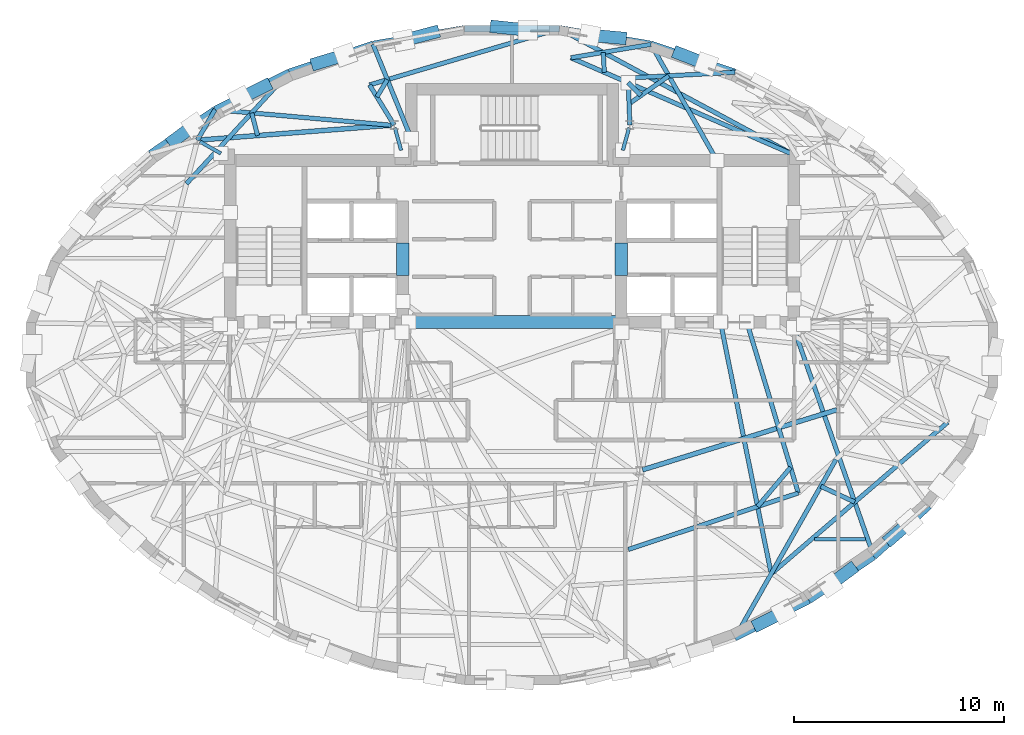
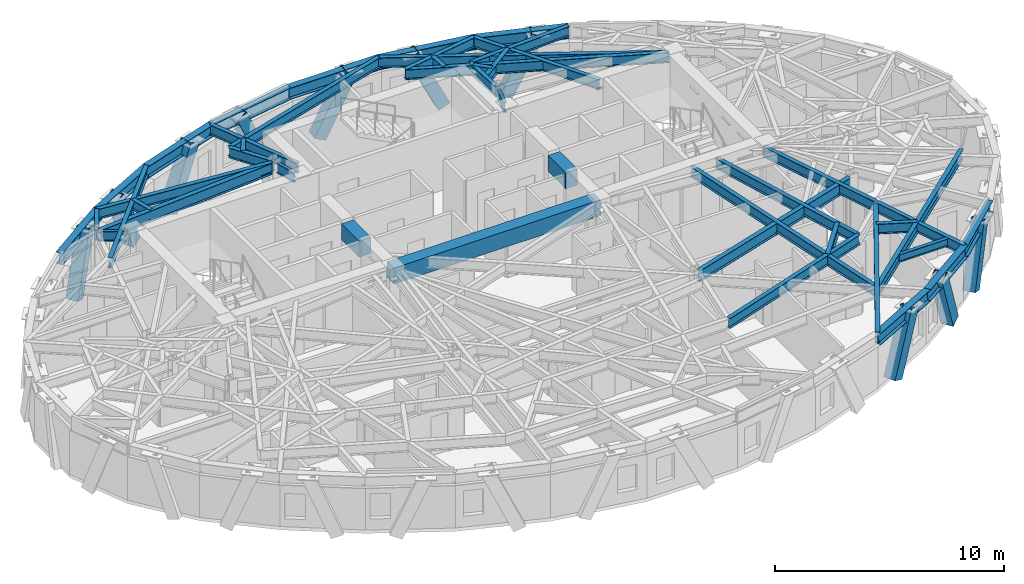
# One storey, part 3 of 13: 44 beams, 10 members.
"""IFC4 building model written with IfcOpenShell, lengths in metres."""

from ifc_helpers import new_model, si_unit, direction, frame, origin, origin_2d, place, context, subcontext, project, spatial, rectangle, hollow_rectangle, i_section, extrude, material, material_profile, profile_set, type_object, element, save


model = new_model("IFC4")

# Units and contexts
model_context = context("Model", 3, precision=1e-05, world=origin(), true_north=direction((0.0, 1.0)))
body_context = subcontext(model_context, "Body", "Model", "MODEL_VIEW")
ifc_project = project(units=[si_unit("LENGTHUNIT", "METRE"), si_unit("AREAUNIT", "SQUARE_METRE"), si_unit("VOLUMEUNIT", "CUBIC_METRE"), si_unit("PLANEANGLEUNIT", "RADIAN"), si_unit("MASSUNIT", "GRAM", prefix="KILO")], contexts=[model_context])

# Site, building, storey
site_placement = place(None, origin())
site = spatial("IfcSite", under=ifc_project, at=site_placement, CompositionType="ELEMENT")
building_placement = place(site_placement, origin())
building = spatial("IfcBuilding", under=site, at=building_placement, Name="Keldmark Tower", CompositionType="ELEMENT")
storey_placement = place(building_placement, frame((0.0, 0.0, 219.449951171875)))
storey = spatial("IfcBuildingStorey", under=building, at=storey_placement, Name="L61", CompositionType="ELEMENT", Elevation=219.449951171875)

# Beams
ifc_material_1 = material(Name="Steel ASTM A992 Grade 50", Category="steel")
ifc_material_profile_1 = material_profile(ifc_material_1, i_section(OverallWidth=0.177978515625, OverallDepth=0.403076171875, WebThickness=0.007568359375, FlangeThickness=0.010986328125, at=origin_2d()), Name="W16X36")
ifc_profile_set_1 = profile_set([ifc_material_profile_1], Name="Steel ASTM A992 Grade 50")
beam_type_1 = type_object("IfcBeamType", Name="Composite Floor Joist W16X36", PredefinedType="JOIST", material=ifc_profile_set_1)
beam_1_placement = place(storey_placement, frame((14.427490234375, -8.780029296875, 2.7685546875), z_axis=(1.0, 0.0, 0.0), x_axis=(0.0, 1.0, 0.0)))
element("IfcBeam", 1, at=beam_1_placement, inside=storey, type_object=beam_type_1, Name="L61 Composite Floor Joist J04", PredefinedType="JOIST", context=body_context, shape_type="SweptSolid", body=[
    extrude(i_section(OverallWidth=0.177978515625, OverallDepth=0.403076171875, WebThickness=0.007568359375, FlangeThickness=0.010986328125, at=origin_2d()), origin(), (0.0, 0.0, 1.0), 2.43212890625),
])
ifc_material_2 = material(Name="Concrete C50/60", Category="concrete")
ifc_material_profile_2 = material_profile(ifc_material_2, rectangle(XDim=0.60009765625, YDim=0.85009765625, at=origin_2d()), Name="RCB600X850")
ifc_profile_set_2 = profile_set([ifc_material_profile_2], Name="Concrete C50/60")
beam_type_2 = type_object("IfcBeamType", Name="Core Coupling Beam RCB600X850", PredefinedType="USERDEFINED", material=ifc_profile_set_2)
for number, where, z_axis, x_axis, name in (
    (2, (-5.199951171875, 3.800048828125, 2.545166015625), (0.0, 1.0, 0.0), (-1.0, 0.0, 0.0), "L61 West Core Coupling Beam"),
    (3, (5.199951171875, 3.800048828125, 2.545166015625), (0.0, 1.0, 0.0), (-1.0, 0.0, 0.0), "L61 East Core Coupling Beam"),
):
    element("IfcBeam", number, at=place(storey_placement, frame(where, z_axis=z_axis, x_axis=x_axis)), inside=storey, type_object=beam_type_2, Name=name, ObjectType="COUPLING BEAM", PredefinedType="USERDEFINED", context=body_context, shape_type="SweptSolid", body=[
        extrude(rectangle(XDim=0.60009765625, YDim=0.85009765625, at=origin_2d()), origin(), (0.0, 0.0, 1.0), 1.550048828125),
    ])
beam_2_placement = place(storey_placement, frame((-5.199951171875, 1.574951171875, 2.545166015625), z_axis=(1.0, 0.0, 0.0), x_axis=(0.0, 1.0, 0.0)))
element("IfcBeam", 4, at=beam_2_placement, inside=storey, type_object=beam_type_2, Name="L61 Central South Core Coupling Beam", ObjectType="COUPLING BEAM", PredefinedType="USERDEFINED", context=body_context, shape_type="SweptSolid", body=[
    extrude(rectangle(XDim=0.60009765625, YDim=0.85009765625, at=origin_2d()), origin(), (0.0, 0.0, 1.0), 10.39990234375),
])

# Members
ifc_material_3 = material(Name="Steel ASTM A572 Grade 50", Category="steel")
ifc_material_profile_3 = material_profile(ifc_material_3, hollow_rectangle(XDim=0.60009765625, YDim=0.60009765625, WallThickness=0.034912109375, at=origin_2d()), Name="BOX600X600X35")
ifc_profile_set_3 = profile_set([ifc_material_profile_3], Name="Steel ASTM A572 Grade 50")
member_type = type_object("IfcMemberType", Name="Diagrid Zone 4 Brace BOX600X600X35", PredefinedType="BRACE", material=ifc_profile_set_3)
member_1_placement = place(storey_placement, frame((7.9599609375, 14.37890625, -0.260009765625), z_axis=(0.382035075732, -0.148990815704, 0.912058626266), x_axis=(0.363339214567, 0.931656919235, 0.0)))
element("IfcMember", 5, at=member_1_placement, inside=storey, type_object=member_type, Name="L61 Perimeter Diagrid Brace 03B", PredefinedType="BRACE", context=body_context, shape_type="SweptSolid", body=[
    extrude(hollow_rectangle(XDim=0.60009765625, YDim=0.60009765625, WallThickness=0.034912109375, at=origin_2d()), origin(), (0.0, 0.0, 1.0), 3.409912109375),
])
member_2_placement = place(storey_placement, frame((5.18603515625, 15.11181640625, -0.260009765625), z_axis=(-0.431543577099, 0.039687860123, 0.90121862765), x_axis=(-0.091580735122, -0.995797654624, 0.0)))
element("IfcMember", 6, at=member_2_placement, inside=storey, type_object=member_type, Name="L61 Perimeter Diagrid Brace 04A", PredefinedType="BRACE", context=body_context, shape_type="SweptSolid", body=[
    extrude(hollow_rectangle(XDim=0.60009765625, YDim=0.60009765625, WallThickness=0.034912109375, at=origin_2d()), origin(), (0.0, 0.0, 1.0), 3.450927734375),
])
member_3_placement = place(storey_placement, frame((-0.76611328125, 15.64697265625, -0.260009765625), z_axis=(0.437074877575, -0.044215222368, 0.898337667864), x_axis=(0.100647976225, 0.994922099906, 0.0)))
element("IfcMember", 7, at=member_3_placement, inside=storey, type_object=member_type, Name="L61 Perimeter Diagrid Brace 04B", PredefinedType="BRACE", context=body_context, shape_type="SweptSolid", body=[
    extrude(hollow_rectangle(XDim=0.60009765625, YDim=0.60009765625, WallThickness=0.034912109375, at=origin_2d()), origin(), (0.0, 0.0, 1.0), 3.462158203125),
])
member_4_placement = place(storey_placement, frame((-3.736328125, 15.37841796875, -0.260009765625), z_axis=(-0.414603232575, -0.110192136724, 0.903306068031), x_axis=(0.256860118169, -0.966448591335, 0.0)))
element("IfcMember", 8, at=member_4_placement, inside=storey, type_object=member_type, Name="L61 Perimeter Diagrid Brace 05A", PredefinedType="BRACE", context=body_context, shape_type="SweptSolid", body=[
    extrude(hollow_rectangle(XDim=0.60009765625, YDim=0.60009765625, WallThickness=0.034912109375, at=origin_2d()), origin(), (0.0, 0.0, 1.0), 3.443115234375),
])
member_5_placement = place(storey_placement, frame((-9.294189453125, 13.905517578125, -0.260009765625), z_axis=(0.396238921214, 0.11842855203, 0.910477564457), x_axis=(-0.286364714613, 0.95812068667, 0.0)))
element("IfcMember", 9, at=member_5_placement, inside=storey, type_object=member_type, Name="L61 Perimeter Diagrid Brace 05B", PredefinedType="BRACE", context=body_context, shape_type="SweptSolid", body=[
    extrude(hollow_rectangle(XDim=0.60009765625, YDim=0.60009765625, WallThickness=0.034912109375, at=origin_2d()), origin(), (0.0, 0.0, 1.0), 3.416015625),
])
member_6_placement = place(storey_placement, frame((-11.7666015625, 12.831298828125, -0.260009765625), z_axis=(-0.350310285199, -0.175082913675, 0.920124272815), x_axis=(0.447066042866, -0.894500952105, 0.0)))
element("IfcMember", 10, at=member_6_placement, inside=storey, type_object=member_type, Name="L61 Perimeter Diagrid Brace 06A", PredefinedType="BRACE", context=body_context, shape_type="SweptSolid", body=[
    extrude(hollow_rectangle(XDim=0.60009765625, YDim=0.60009765625, WallThickness=0.034912109375, at=origin_2d()), origin(), (0.0, 0.0, 1.0), 3.380126953125),
])
member_7_placement = place(storey_placement, frame((-16.132568359375, 10.223388671875, -0.260009765625), z_axis=(0.294147769591, 0.218255161544, 0.930506192405), x_axis=(-0.59587596727, 0.803076479316, 0.0)))
element("IfcMember", 11, at=member_7_placement, inside=storey, type_object=member_type, Name="L61 Perimeter Diagrid Brace 06B", PredefinedType="BRACE", context=body_context, shape_type="SweptSolid", body=[
    extrude(hollow_rectangle(XDim=0.60009765625, YDim=0.60009765625, WallThickness=0.034912109375, at=origin_2d()), origin(), (0.0, 0.0, 1.0), 3.34228515625),
])
member_8_placement = place(storey_placement, frame((11.7666015625, -12.831298828125, -0.260009765625), z_axis=(0.350310285199, 0.175082913675, 0.920124272815), x_axis=(-0.447066042866, 0.894500952105, 0.0)))
element("IfcMember", 12, at=member_8_placement, inside=storey, type_object=member_type, Name="L61 Perimeter Diagrid Brace 14A", PredefinedType="BRACE", context=body_context, shape_type="SweptSolid", body=[
    extrude(hollow_rectangle(XDim=0.60009765625, YDim=0.60009765625, WallThickness=0.034912109375, at=origin_2d()), origin(), (0.0, 0.0, 1.0), 3.380126953125),
])
member_9_placement = place(storey_placement, frame((16.132568359375, -10.223388671875, -0.260009765625), z_axis=(-0.294147769591, -0.218255161544, 0.930506192405), x_axis=(0.59587596727, -0.803076479316, 0.0)))
element("IfcMember", 13, at=member_9_placement, inside=storey, type_object=member_type, Name="L61 Perimeter Diagrid Brace 14B", PredefinedType="BRACE", context=body_context, shape_type="SweptSolid", body=[
    extrude(hollow_rectangle(XDim=0.60009765625, YDim=0.60009765625, WallThickness=0.034912109375, at=origin_2d()), origin(), (0.0, 0.0, 1.0), 3.34228515625),
])
member_10_placement = place(storey_placement, frame((18.051513671875, -8.747802734375, -0.260009765625), z_axis=(0.271056056456, 0.234783348171, 0.933490971397), x_axis=(-0.654720463348, 0.755871096731, 0.0)))
element("IfcMember", 14, at=member_10_placement, inside=storey, type_object=member_type, Name="L61 Perimeter Diagrid Brace 15A", PredefinedType="BRACE", context=body_context, shape_type="SweptSolid", body=[
    extrude(hollow_rectangle(XDim=0.60009765625, YDim=0.60009765625, WallThickness=0.034912109375, at=origin_2d()), origin(), (0.0, 0.0, 1.0), 3.331787109375),
])

# Beams
ifc_material_4 = material(Name="Steel ASTM A992 Grade 50", Category="steel")
ifc_material_profile_4 = material_profile(ifc_material_4, i_section(OverallWidth=0.22802734375, OverallDepth=0.60302734375, WebThickness=0.010498046875, FlangeThickness=0.014892578125, at=origin_2d()), Name="W24X68")
ifc_profile_set_4 = profile_set([ifc_material_profile_4], Name="Steel ASTM A992 Grade 50")
beam_type_3 = type_object("IfcBeamType", Name="Primary Floor Girder W24X68", PredefinedType="BEAM", material=ifc_profile_set_4)
beam_3_placement = place(storey_placement, frame((-5.75830078125, 10.956298828125, 2.66845703125), z_axis=(-0.997037147832, -0.076921556421, 0.0), x_axis=(0.076921556421, -0.997037147832, 0.0)))
element("IfcBeam", 15, at=beam_3_placement, inside=storey, type_object=beam_type_3, Name="L61 Floor Ring Girder FG-R04", PredefinedType="BEAM", context=body_context, shape_type="SweptSolid", body=[
    extrude(i_section(OverallWidth=0.22802734375, OverallDepth=0.60302734375, WebThickness=0.010498046875, FlangeThickness=0.014892578125, at=origin_2d()), origin(), (0.0, 0.0, 1.0), 9.125),
])
beam_4_placement = place(storey_placement, frame((6.223388671875, -5.471435546875, 2.66845703125), z_axis=(0.955383255089, 0.295368982622, 0.0), x_axis=(-0.295368982622, 0.955383255089, 0.0)))
element("IfcBeam", 16, at=beam_4_placement, inside=storey, type_object=beam_type_3, Name="L61 Floor Ring Girder FG-R10", PredefinedType="BEAM", context=body_context, shape_type="SweptSolid", body=[
    extrude(i_section(OverallWidth=0.22802734375, OverallDepth=0.60302734375, WebThickness=0.010498046875, FlangeThickness=0.014892578125, at=origin_2d()), origin(), (0.0, 0.0, 1.0), 9.69140625),
])
ifc_material_5 = material(Name="Steel ASTM A992 Grade 50", Category="steel")
ifc_material_profile_5 = material_profile(ifc_material_5, i_section(OverallWidth=0.166015625, OverallDepth=0.529052734375, WebThickness=0.009765625, FlangeThickness=0.013671875, at=origin_2d()), Name="W21X50")
ifc_profile_set_5 = profile_set([ifc_material_profile_5], Name="Steel ASTM A992 Grade 50")
beam_type_4 = type_object("IfcBeamType", Name="Radial Tie Girder W21X50", PredefinedType="BEAM", material=ifc_profile_set_5)
for number, where, z_axis, x_axis, name in (
    (17, (5.581298828125, 10.83203125, 2.70556640625), (-0.265936023434, -0.963990680163, 0.0), (0.963990680163, -0.265936023434, 0.0), "L61 Floor Radial Girder FG-C03"),
    (18, (-5.581298828125, 10.83203125, 2.70556640625), (0.265936023434, -0.963990680163, 0.0), (0.963990680163, 0.265936023434, 0.0), "L61 Floor Radial Girder FG-C04"),
):
    element("IfcBeam", number, at=place(storey_placement, frame(where, z_axis=z_axis, x_axis=x_axis)), inside=storey, type_object=beam_type_4, Name=name, PredefinedType="BEAM", context=body_context, shape_type="SweptSolid", body=[
        extrude(i_section(OverallWidth=0.166015625, OverallDepth=0.529052734375, WebThickness=0.009765625, FlangeThickness=0.013671875, at=origin_2d()), origin(), (0.0, 0.0, 1.0), 1.113525390625),
    ])
beam_5_placement = place(storey_placement, frame((-14.8740234375, 10.174560546875, 2.70556640625), z_axis=(0.869238046195, -0.494393789451, 0.0), x_axis=(0.494393789451, 0.869238046195, 0.0)))
element("IfcBeam", 19, at=beam_5_placement, inside=storey, type_object=beam_type_4, Name="L61 Floor Radial Girder FG-C05", PredefinedType="BEAM", context=body_context, shape_type="SweptSolid", body=[
    extrude(i_section(OverallWidth=0.166015625, OverallDepth=0.529052734375, WebThickness=0.009765625, FlangeThickness=0.013671875, at=origin_2d()), origin(), (0.0, 0.0, 1.0), 1.145751953125),
])
ifc_material_6 = material(Name="Steel ASTM A992 Grade 50", Category="steel")
ifc_material_profile_6 = material_profile(ifc_material_6, i_section(OverallWidth=0.2099609375, OverallDepth=0.537109375, WebThickness=0.010986328125, FlangeThickness=0.017333984375, at=origin_2d()), Name="W21X68")
ifc_profile_set_6 = profile_set([ifc_material_profile_6], Name="Steel ASTM A992 Grade 50")
beam_type_5 = type_object("IfcBeamType", Name="Radial Tie Girder W21X68", PredefinedType="BEAM", material=ifc_profile_set_6)
beam_6_placement = place(storey_placement, frame((11.19287109375, 1.574951171875, 2.70166015625), z_axis=(0.288515668481, -0.957475174112, 0.0), x_axis=(0.957475174112, 0.288515668481, 0.0)))
element("IfcBeam", 20, at=beam_6_placement, inside=storey, type_object=beam_type_5, Name="L61 Sub-Ring Step Girder STP1-M11", PredefinedType="BEAM", context=body_context, shape_type="SweptSolid", body=[
    extrude(i_section(OverallWidth=0.2099609375, OverallDepth=0.537109375, WebThickness=0.010986328125, FlangeThickness=0.017333984375, at=origin_2d()), origin(), (0.0, 0.0, 1.0), 8.514404296875),
])
beam_7_placement = place(storey_placement, frame((5.548095703125, -9.267578125, 2.70166015625), z_axis=(0.949043045572, 0.315146470155, 0.0), x_axis=(-0.315146470155, 0.949043045572, 0.0)))
element("IfcBeam", 21, at=beam_7_placement, inside=storey, type_object=beam_type_5, Name="L61 Perimeter Collector Ring Beam CRG1-M10", PredefinedType="BEAM", context=body_context, shape_type="SweptSolid", body=[
    extrude(i_section(OverallWidth=0.2099609375, OverallDepth=0.537109375, WebThickness=0.010986328125, FlangeThickness=0.017333984375, at=origin_2d()), origin(), (0.0, 0.0, 1.0), 8.536376953125),
])
beam_8_placement = place(storey_placement, frame((13.28076171875, -5.3544921875, 2.70166015625), z_axis=(-0.644111105866, -0.764931946842, 0.0), x_axis=(0.764931946842, -0.644111105866, 0.0)))
element("IfcBeam", 22, at=beam_8_placement, inside=storey, type_object=beam_type_5, Name="L61 Framing Pin Header PH-011", PredefinedType="BEAM", context=body_context, shape_type="SweptSolid", body=[
    extrude(i_section(OverallWidth=0.2099609375, OverallDepth=0.537109375, WebThickness=0.010986328125, FlangeThickness=0.017333984375, at=origin_2d()), origin(), (0.0, 0.0, 1.0), 2.44091796875),
])
beam_9_placement = place(storey_placement, frame((9.939208984375, 1.574951171875, 2.70166015625), z_axis=(0.197170240009, -0.980369265356, 0.0), x_axis=(0.980369265356, 0.197170240009, 0.0)))
element("IfcBeam", 23, at=beam_9_placement, inside=storey, type_object=beam_type_5, Name="L61 Sub-Ring Step Girder STP2-M11", PredefinedType="BEAM", context=body_context, shape_type="SweptSolid", body=[
    extrude(i_section(OverallWidth=0.2099609375, OverallDepth=0.537109375, WebThickness=0.010986328125, FlangeThickness=0.017333984375, at=origin_2d()), origin(), (0.0, 0.0, 1.0), 12.247314453125),
])
beam_10_placement = place(storey_placement, frame((12.35400390625, -10.431884765625, 2.70166015625), z_axis=(0.758616264671, 0.65153769114, 0.0), x_axis=(-0.65153769114, 0.758616264671, 0.0)))
element("IfcBeam", 24, at=beam_10_placement, inside=storey, type_object=beam_type_5, Name="L61 Perimeter Collector Ring Beam CRG2-M11", PredefinedType="BEAM", context=body_context, shape_type="SweptSolid", body=[
    extrude(i_section(OverallWidth=0.2099609375, OverallDepth=0.537109375, WebThickness=0.010986328125, FlangeThickness=0.017333984375, at=origin_2d()), origin(), (0.0, 0.0, 1.0), 11.094482421875),
])
beam_11_placement = place(storey_placement, frame((-14.995849609375, 10.24365234375, 2.70166015625), z_axis=(0.499735037003, 0.866178326207, 0.0), x_axis=(-0.866178326207, 0.499735037003, 0.0)))
element("IfcBeam", 25, at=beam_11_placement, inside=storey, type_object=beam_type_5, Name="L61 Perimeter Column Bracket RT-12", PredefinedType="BEAM", context=body_context, shape_type="SweptSolid", body=[
    extrude(i_section(OverallWidth=0.2099609375, OverallDepth=0.537109375, WebThickness=0.010986328125, FlangeThickness=0.017333984375, at=origin_2d()), origin(), (0.0, 0.0, 1.0), 1.6796875),
])
beam_12_placement = place(storey_placement, frame((15.4423828125, -4.978515625, 2.70166015625), z_axis=(-0.493060480118, -0.869995036162, 0.0), x_axis=(0.869995036162, -0.493060480118, 0.0)))
element("IfcBeam", 26, at=beam_12_placement, inside=storey, type_object=beam_type_5, Name="L61 Perimeter Radial Tie Girder RT-27", PredefinedType="BEAM", context=body_context, shape_type="SweptSolid", body=[
    extrude(i_section(OverallWidth=0.2099609375, OverallDepth=0.537109375, WebThickness=0.010986328125, FlangeThickness=0.017333984375, at=origin_2d()), origin(), (0.0, 0.0, 1.0), 9.77197265625),
])
beam_13_placement = place(storey_placement, frame((14.7197265625, -6.253662109375, 2.70166015625), z_axis=(0.906458592872, -0.42229470682, 0.0), x_axis=(0.42229470682, 0.906458592872, 0.0)))
element("IfcBeam", 27, at=beam_13_placement, inside=storey, type_object=beam_type_5, Name="L61 Framing Pin Header PH-032", PredefinedType="BEAM", context=body_context, shape_type="SweptSolid", body=[
    extrude(i_section(OverallWidth=0.2099609375, OverallDepth=0.537109375, WebThickness=0.010986328125, FlangeThickness=0.017333984375, at=origin_2d()), origin(), (0.0, 0.0, 1.0), 1.78759765625),
])
beam_14_placement = place(storey_placement, frame((13.425048828125, 1.300048828125, 2.70166015625), z_axis=(0.331062953383, -0.943608669363, 0.0), x_axis=(0.943608669363, 0.331062953383, 0.0)))
element("IfcBeam", 28, at=beam_14_placement, inside=storey, type_object=beam_type_5, Name="L61 Perimeter Radial Tie Girder RT-29", PredefinedType="BEAM", context=body_context, shape_type="SweptSolid", body=[
    extrude(i_section(OverallWidth=0.2099609375, OverallDepth=0.537109375, WebThickness=0.010986328125, FlangeThickness=0.017333984375, at=origin_2d()), origin(), (0.0, 0.0, 1.0), 11.552001953125),
])
beam_15_placement = place(storey_placement, frame((5.61865234375, 10.967041015625, 2.70166015625), z_axis=(-0.038111117752, 0.999273507456, 0.0), x_axis=(-0.999273507456, -0.038111117752, 0.0)))
element("IfcBeam", 29, at=beam_15_placement, inside=storey, type_object=beam_type_5, Name="L61 Column Step Bracket RT-07RS", PredefinedType="BEAM", context=body_context, shape_type="SweptSolid", body=[
    extrude(i_section(OverallWidth=0.2099609375, OverallDepth=0.537109375, WebThickness=0.010986328125, FlangeThickness=0.017333984375, at=origin_2d()), origin(), (0.0, 0.0, 1.0), 2.2421875),
])
beam_16_placement = place(storey_placement, frame((5.533203125, 13.20751953125, 2.70166015625), z_axis=(0.998571008565, 0.05344100348, 0.0), x_axis=(-0.05344100348, 0.998571008565, 0.0)))
element("IfcBeam", 30, at=beam_16_placement, inside=storey, type_object=beam_type_5, Name="L61 Column Step Chord RT-07RK", PredefinedType="BEAM", context=body_context, shape_type="SweptSolid", body=[
    extrude(i_section(OverallWidth=0.2099609375, OverallDepth=0.537109375, WebThickness=0.010986328125, FlangeThickness=0.017333984375, at=origin_2d()), origin(), (0.0, 0.0, 1.0), 5.098388671875),
])
beam_17_placement = place(storey_placement, frame((5.580078125, 11.975341796875, 2.70166015625), z_axis=(0.817443014048, 0.576009478033, 0.0), x_axis=(-0.576009478033, 0.817443014048, 0.0)))
element("IfcBeam", 31, at=beam_17_placement, inside=storey, type_object=beam_type_5, Name="L61 Framing Pin Header PH-036", PredefinedType="BEAM", context=body_context, shape_type="SweptSolid", body=[
    extrude(i_section(OverallWidth=0.2099609375, OverallDepth=0.537109375, WebThickness=0.010986328125, FlangeThickness=0.017333984375, at=origin_2d()), origin(), (0.0, 0.0, 1.0), 2.31982421875),
])
beam_18_placement = place(storey_placement, frame((9.767822265625, 9.27490234375, 2.70166015625), z_axis=(-0.493671368775, 0.869648538003, 0.0), x_axis=(-0.869648538003, -0.493671368775, 0.0)))
element("IfcBeam", 32, at=beam_18_placement, inside=storey, type_object=beam_type_5, Name="L61 Perimeter Radial Tie Girder RT-07R", PredefinedType="BEAM", context=body_context, shape_type="SweptSolid", body=[
    extrude(i_section(OverallWidth=0.2099609375, OverallDepth=0.537109375, WebThickness=0.010986328125, FlangeThickness=0.017333984375, at=origin_2d()), origin(), (0.0, 0.0, 1.0), 6.3662109375),
])
beam_19_placement = place(storey_placement, frame((6.149169921875, 12.376220703125, 2.70166015625), z_axis=(-0.707959915321, 0.70625261649, 0.0), x_axis=(-0.70625261649, -0.707959915321, 0.0)))
element("IfcBeam", 33, at=beam_19_placement, inside=storey, type_object=beam_type_5, Name="L61 Framing Pin Header PH-037", PredefinedType="BEAM", context=body_context, shape_type="SweptSolid", body=[
    extrude(i_section(OverallWidth=0.2099609375, OverallDepth=0.537109375, WebThickness=0.010986328125, FlangeThickness=0.017333984375, at=origin_2d()), origin(), (0.0, 0.0, 1.0), 0.85791015625),
])
beam_20_placement = place(storey_placement, frame((13.425048828125, 9.550048828125, 2.70166015625), z_axis=(-0.916877868145, 0.399167853046, 0.0), x_axis=(-0.399167853046, -0.916877868145, 0.0)))
element("IfcBeam", 34, at=beam_20_placement, inside=storey, type_object=beam_type_5, Name="L61 Crown Step Radial Girder RT-08RN2", PredefinedType="BEAM", context=body_context, shape_type="SweptSolid", body=[
    extrude(i_section(OverallWidth=0.2099609375, OverallDepth=0.537109375, WebThickness=0.010986328125, FlangeThickness=0.017333984375, at=origin_2d()), origin(), (0.0, 0.0, 1.0), 11.57861328125),
])
beam_21_placement = place(storey_placement, frame((2.808837890625, 14.171875, 2.70166015625), z_axis=(0.986252018804, 0.165248163089, 0.0), x_axis=(-0.165248163089, 0.986252018804, 0.0)))
element("IfcBeam", 35, at=beam_21_placement, inside=storey, type_object=beam_type_5, Name="L61 Crown Step Collector Chord RT-08RP2", PredefinedType="BEAM", context=body_context, shape_type="SweptSolid", body=[
    extrude(i_section(OverallWidth=0.2099609375, OverallDepth=0.537109375, WebThickness=0.010986328125, FlangeThickness=0.017333984375, at=origin_2d()), origin(), (0.0, 0.0, 1.0), 3.869384765625),
])
beam_22_placement = place(storey_placement, frame((4.401123046875, 13.478515625, 2.70166015625), z_axis=(-0.054831425181, 0.998495625836, 0.0), x_axis=(-0.998495625836, -0.054831425181, 0.0)))
element("IfcBeam", 36, at=beam_22_placement, inside=storey, type_object=beam_type_5, Name="L61 Framing Pin Header PH-038", PredefinedType="BEAM", context=body_context, shape_type="SweptSolid", body=[
    extrude(i_section(OverallWidth=0.2099609375, OverallDepth=0.537109375, WebThickness=0.010986328125, FlangeThickness=0.017333984375, at=origin_2d()), origin(), (0.0, 0.0, 1.0), 0.952880859375),
])
beam_23_placement = place(storey_placement, frame((13.425048828125, 9.550048828125, 2.70166015625), z_axis=(-0.88076526463, 0.473553110666, 0.0), x_axis=(-0.473553110666, -0.88076526463, 0.0)))
element("IfcBeam", 37, at=beam_23_placement, inside=storey, type_object=beam_type_5, Name="L61 Perimeter Radial Tie Girder RT-08R", PredefinedType="BEAM", context=body_context, shape_type="SweptSolid", body=[
    extrude(i_section(OverallWidth=0.2099609375, OverallDepth=0.537109375, WebThickness=0.010986328125, FlangeThickness=0.017333984375, at=origin_2d()), origin(), (0.0, 0.0, 1.0), 12.677978515625),
])
beam_24_placement = place(storey_placement, frame((-5.61865234375, 10.967041015625, 2.70166015625), z_axis=(-0.522845432019, 0.852427506722, 0.0), x_axis=(-0.852427506722, -0.522845432019, 0.0)))
element("IfcBeam", 38, at=beam_24_placement, inside=storey, type_object=beam_type_5, Name="L61 Column Step Bracket RT-10RS", PredefinedType="BEAM", context=body_context, shape_type="SweptSolid", body=[
    extrude(i_section(OverallWidth=0.2099609375, OverallDepth=0.537109375, WebThickness=0.010986328125, FlangeThickness=0.017333984375, at=origin_2d()), origin(), (0.0, 0.0, 1.0), 2.2421875),
])
beam_25_placement = place(storey_placement, frame((-6.791015625, 12.87841796875, 2.70166015625), z_axis=(0.958974878345, 0.283491062828, 0.0), x_axis=(-0.283491062828, 0.958974878345, 0.0)))
element("IfcBeam", 39, at=beam_25_placement, inside=storey, type_object=beam_type_5, Name="L61 Column Step Chord RT-10RK", PredefinedType="BEAM", context=body_context, shape_type="SweptSolid", body=[
    extrude(i_section(OverallWidth=0.2099609375, OverallDepth=0.537109375, WebThickness=0.010986328125, FlangeThickness=0.017333984375, at=origin_2d()), origin(), (0.0, 0.0, 1.0), 9.43701171875),
])
beam_26_placement = place(storey_placement, frame((-6.439208984375, 12.304931640625, 2.70166015625), z_axis=(0.516507925815, 0.856282408187, 0.0), x_axis=(-0.856282408187, 0.516507925815, 0.0)))
element("IfcBeam", 40, at=beam_26_placement, inside=storey, type_object=beam_type_5, Name="L61 Framing Pin Header PH-039", PredefinedType="BEAM", context=body_context, shape_type="SweptSolid", body=[
    extrude(i_section(OverallWidth=0.2099609375, OverallDepth=0.537109375, WebThickness=0.010986328125, FlangeThickness=0.017333984375, at=origin_2d()), origin(), (0.0, 0.0, 1.0), 0.962890625),
])
beam_27_placement = place(storey_placement, frame((-4.800048828125, 10.316650390625, 2.70166015625), z_axis=(-0.376201546206, 0.926537854937, 0.0), x_axis=(-0.926537854937, -0.376201546206, 0.0)))
element("IfcBeam", 41, at=beam_27_placement, inside=storey, type_object=beam_type_5, Name="L61 Perimeter Radial Tie Girder RT-10R", PredefinedType="BEAM", context=body_context, shape_type="SweptSolid", body=[
    extrude(i_section(OverallWidth=0.2099609375, OverallDepth=0.537109375, WebThickness=0.010986328125, FlangeThickness=0.017333984375, at=origin_2d()), origin(), (0.0, 0.0, 1.0), 4.85107421875),
])
beam_28_placement = place(storey_placement, frame((-5.75830078125, 10.956298828125, 2.70166015625), z_axis=(-0.996117685702, 0.08803156384, 0.0), x_axis=(-0.08803156384, -0.996117685702, 0.0)))
element("IfcBeam", 42, at=beam_28_placement, inside=storey, type_object=beam_type_5, Name="L61 Straddling Support Chord RT-11RB", PredefinedType="BEAM", context=body_context, shape_type="SweptSolid", body=[
    extrude(i_section(OverallWidth=0.2099609375, OverallDepth=0.537109375, WebThickness=0.010986328125, FlangeThickness=0.017333984375, at=origin_2d()), origin(), (0.0, 0.0, 1.0), 8.430908203125),
])
beam_29_placement = place(storey_placement, frame((-12.126708984375, 10.465087890625, 2.70166015625), z_axis=(-0.252466464945, 0.967605644919, 0.0), x_axis=(-0.967605644919, -0.252466464945, 0.0)))
element("IfcBeam", 43, at=beam_29_placement, inside=storey, type_object=beam_type_5, Name="L61 Framing Pin Header PH-040", PredefinedType="BEAM", context=body_context, shape_type="SweptSolid", body=[
    extrude(i_section(OverallWidth=0.2099609375, OverallDepth=0.537109375, WebThickness=0.010986328125, FlangeThickness=0.017333984375, at=origin_2d()), origin(), (0.0, 0.0, 1.0), 1.114990234375),
])
beam_30_placement = place(storey_placement, frame((-15.5205078125, 8.1669921875, 2.70166015625), z_axis=(0.677677791306, 0.73535896756, 0.0), x_axis=(-0.73535896756, 0.677677791306, 0.0)))
element("IfcBeam", 44, at=beam_30_placement, inside=storey, type_object=beam_type_5, Name="L61 Perimeter Radial Tie Girder RT-11R", PredefinedType="BEAM", context=body_context, shape_type="SweptSolid", body=[
    extrude(i_section(OverallWidth=0.2099609375, OverallDepth=0.537109375, WebThickness=0.010986328125, FlangeThickness=0.017333984375, at=origin_2d()), origin(), (0.0, 0.0, 1.0), 7.22509765625),
])
ifc_material_7 = material(Name="Steel ASTM A992 Grade 50", Category="steel")
ifc_material_profile_7 = material_profile(ifc_material_7, i_section(OverallWidth=0.326904296875, OverallDepth=0.6220703125, WebThickness=0.015380859375, FlangeThickness=0.0244140625, at=origin_2d()), Name="W24X131")
ifc_profile_set_7 = profile_set([ifc_material_profile_7], Name="Steel ASTM A992 Grade 50")
beam_type_6 = type_object("IfcBeamType", Name="Spandrel Ring Beam W24X131", PredefinedType="SPANDREL", material=ifc_profile_set_7)
beam_31_placement = place(storey_placement, frame((10.624267578125, 13.47998046875, 2.658935546875), z_axis=(-0.948810648135, 0.315845459024, 0.0), x_axis=(-0.315845459024, -0.948810648135, 0.0)))
element("IfcBeam", 45, at=beam_31_placement, inside=storey, type_object=beam_type_6, Name="L61 Perimeter Spandrel Ring Beam SRB-06", PredefinedType="SPANDREL", context=body_context, shape_type="SweptSolid", body=[
    extrude(i_section(OverallWidth=0.326904296875, OverallDepth=0.6220703125, WebThickness=0.015380859375, FlangeThickness=0.0244140625, at=origin_2d()), origin(), (0.0, 0.0, 1.0), 4.215087890625),
])
beam_32_placement = place(storey_placement, frame((6.625, 14.811279296875, 2.658935546875), z_axis=(-0.985849288176, 0.16763406874, 0.0), x_axis=(-0.16763406874, -0.985849288176, 0.0)))
element("IfcBeam", 46, at=beam_32_placement, inside=storey, type_object=beam_type_6, Name="L61 Perimeter Spandrel Ring Beam SRB-07", PredefinedType="SPANDREL", context=body_context, shape_type="SweptSolid", body=[
    extrude(i_section(OverallWidth=0.326904296875, OverallDepth=0.6220703125, WebThickness=0.015380859375, FlangeThickness=0.0244140625, at=origin_2d()), origin(), (0.0, 0.0, 1.0), 4.428955078125),
])
beam_33_placement = place(storey_placement, frame((2.2587890625, 15.5537109375, 2.658935546875), z_axis=(-1.0, 0.0, 0.0), x_axis=(0.0, -1.0, 0.0)))
element("IfcBeam", 47, at=beam_33_placement, inside=storey, type_object=beam_type_6, Name="L61 Perimeter Spandrel Ring Beam SRB-08", PredefinedType="SPANDREL", context=body_context, shape_type="SweptSolid", body=[
    extrude(i_section(OverallWidth=0.326904296875, OverallDepth=0.6220703125, WebThickness=0.015380859375, FlangeThickness=0.0244140625, at=origin_2d()), origin(), (0.0, 0.0, 1.0), 4.517578125),
])
beam_34_placement = place(storey_placement, frame((-2.2587890625, 15.5537109375, 2.658935546875), z_axis=(-0.985849288176, -0.16763406874, 0.0), x_axis=(0.16763406874, -0.985849288176, 0.0)))
element("IfcBeam", 48, at=beam_34_placement, inside=storey, type_object=beam_type_6, Name="L61 Perimeter Spandrel Ring Beam SRB-09", PredefinedType="SPANDREL", context=body_context, shape_type="SweptSolid", body=[
    extrude(i_section(OverallWidth=0.326904296875, OverallDepth=0.6220703125, WebThickness=0.015380859375, FlangeThickness=0.0244140625, at=origin_2d()), origin(), (0.0, 0.0, 1.0), 4.428955078125),
])
beam_35_placement = place(storey_placement, frame((-6.625, 14.811279296875, 2.658935546875), z_axis=(-0.948810648135, -0.315845459024, 0.0), x_axis=(0.315845459024, -0.948810648135, 0.0)))
element("IfcBeam", 49, at=beam_35_placement, inside=storey, type_object=beam_type_6, Name="L61 Perimeter Spandrel Ring Beam SRB-10", PredefinedType="SPANDREL", context=body_context, shape_type="SweptSolid", body=[
    extrude(i_section(OverallWidth=0.326904296875, OverallDepth=0.6220703125, WebThickness=0.015380859375, FlangeThickness=0.0244140625, at=origin_2d()), origin(), (0.0, 0.0, 1.0), 4.215087890625),
])
beam_36_placement = place(storey_placement, frame((-10.624267578125, 13.47998046875, 2.658935546875), z_axis=(-0.892866610217, -0.450321236851, 0.0), x_axis=(0.450321236851, -0.892866610217, 0.0)))
element("IfcBeam", 50, at=beam_36_placement, inside=storey, type_object=beam_type_6, Name="L61 Perimeter Spandrel Ring Beam SRB-11", PredefinedType="SPANDREL", context=body_context, shape_type="SweptSolid", body=[
    extrude(i_section(OverallWidth=0.326904296875, OverallDepth=0.6220703125, WebThickness=0.015380859375, FlangeThickness=0.0244140625, at=origin_2d()), origin(), (0.0, 0.0, 1.0), 3.9560546875),
])
beam_37_placement = place(storey_placement, frame((-14.156494140625, 11.698486328125, 2.658935546875), z_axis=(-0.827591742774, -0.561330479569, 0.0), x_axis=(0.561330479569, -0.827591742774, 0.0)))
element("IfcBeam", 51, at=beam_37_placement, inside=storey, type_object=beam_type_6, Name="L61 Perimeter Spandrel Ring Beam SRB-12", PredefinedType="SPANDREL", context=body_context, shape_type="SweptSolid", body=[
    extrude(i_section(OverallWidth=0.326904296875, OverallDepth=0.6220703125, WebThickness=0.015380859375, FlangeThickness=0.0244140625, at=origin_2d()), origin(), (0.0, 0.0, 1.0), 3.7373046875),
])
beam_38_placement = place(storey_placement, frame((10.624267578125, -13.47998046875, 2.658935546875), z_axis=(0.892866610217, 0.450321236851, 0.0), x_axis=(-0.450321236851, 0.892866610217, 0.0)))
element("IfcBeam", 52, at=beam_38_placement, inside=storey, type_object=beam_type_6, Name="L61 Perimeter Spandrel Ring Beam SRB-27", PredefinedType="SPANDREL", context=body_context, shape_type="SweptSolid", body=[
    extrude(i_section(OverallWidth=0.326904296875, OverallDepth=0.6220703125, WebThickness=0.015380859375, FlangeThickness=0.0244140625, at=origin_2d()), origin(), (0.0, 0.0, 1.0), 3.9560546875),
])
beam_39_placement = place(storey_placement, frame((14.156494140625, -11.698486328125, 2.658935546875), z_axis=(0.827591742774, 0.561330479569, 0.0), x_axis=(-0.561330479569, 0.827591742774, 0.0)))
element("IfcBeam", 53, at=beam_39_placement, inside=storey, type_object=beam_type_6, Name="L61 Perimeter Spandrel Ring Beam SRB-28", PredefinedType="SPANDREL", context=body_context, shape_type="SweptSolid", body=[
    extrude(i_section(OverallWidth=0.326904296875, OverallDepth=0.6220703125, WebThickness=0.015380859375, FlangeThickness=0.0244140625, at=origin_2d()), origin(), (0.0, 0.0, 1.0), 3.7373046875),
])
beam_40_placement = place(storey_placement, frame((17.24951171875, -9.6005859375, 2.658935546875), z_axis=(0.738907573949, 0.673806795129, 0.0), x_axis=(-0.673806795129, 0.738907573949, 0.0)))
element("IfcBeam", 54, at=beam_40_placement, inside=storey, type_object=beam_type_6, Name="L61 Perimeter Spandrel Ring Beam SRB-29", PredefinedType="SPANDREL", context=body_context, shape_type="SweptSolid", body=[
    extrude(i_section(OverallWidth=0.326904296875, OverallDepth=0.6220703125, WebThickness=0.015380859375, FlangeThickness=0.0244140625, at=origin_2d()), origin(), (0.0, 0.0, 1.0), 3.55517578125),
])

save(model, "model.ifc")
